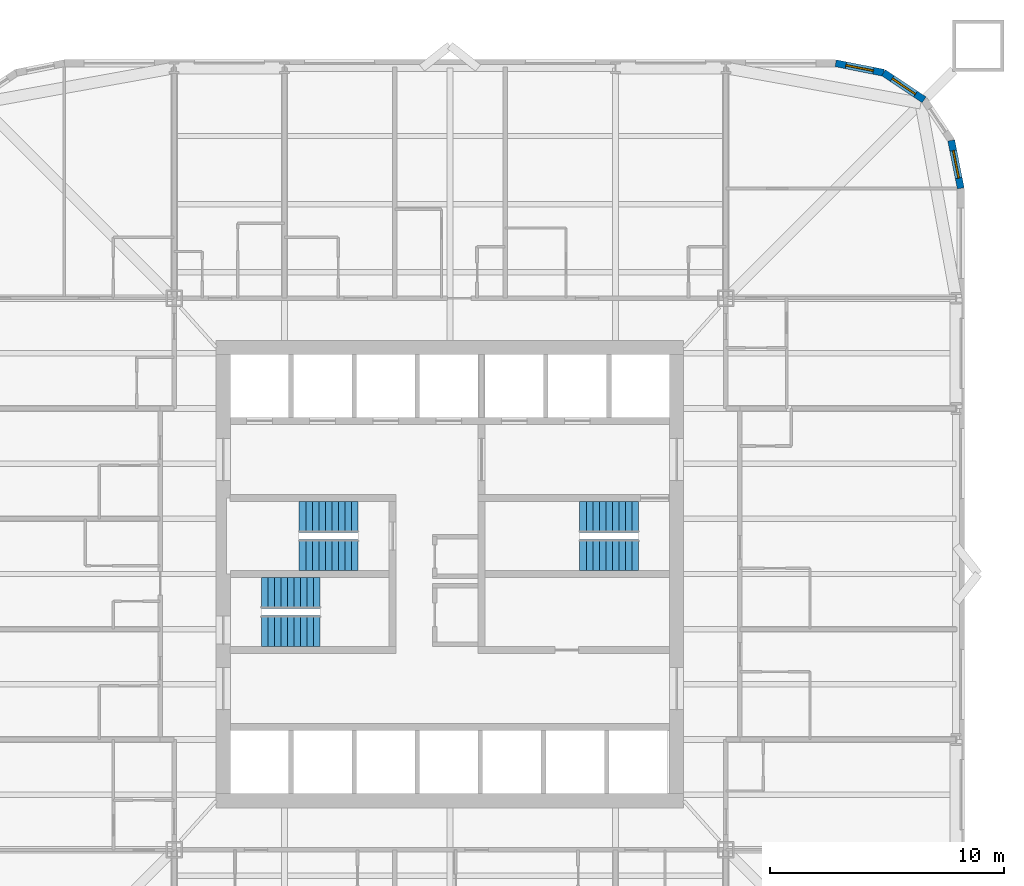
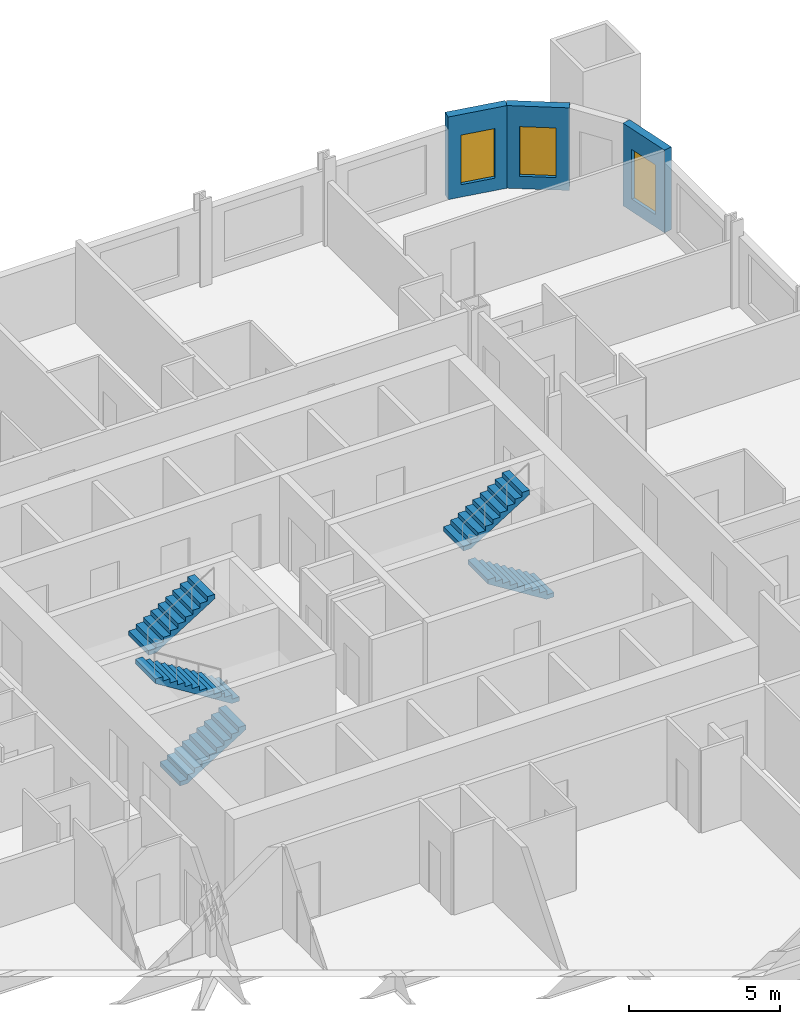
# One storey, part 8 of 9: 6 stair flights, 3 walls, 3 windows, 3 openings, 3 elements without a shape of their own.
"""IFC4 building model written with IfcOpenShell, lengths in metres."""

from ifc_helpers import new_model, si_unit, direction, frame, frame_2d, origin, place, context, subcontext, project, spatial, polyline, rectangle, outline, extrude, material, layer, layer_set, type_object, element, fill, aggregate, save


model = new_model("IFC4")

# Units and contexts
model_context = context("Model", 3, precision=1e-05, world=origin(), true_north=direction((0.0, 1.0)))
body_context = subcontext(model_context, "Body", "Model", "MODEL_VIEW")
ifc_project = project(units=[si_unit("LENGTHUNIT", "METRE"), si_unit("AREAUNIT", "SQUARE_METRE"), si_unit("VOLUMEUNIT", "CUBIC_METRE"), si_unit("PLANEANGLEUNIT", "RADIAN"), si_unit("MASSUNIT", "GRAM", prefix="KILO")], contexts=[model_context])

# Site, building, storey
site_placement = place(None, origin())
site = spatial("IfcSite", under=ifc_project, at=site_placement, CompositionType="ELEMENT")
building_placement = place(site_placement, origin())
building = spatial("IfcBuilding", under=site, at=building_placement, Name="Turquesa Mirador Hotel Tower", CompositionType="ELEMENT")
storey_placement = place(building_placement, frame((0.0, 0.0, 56.5)))
storey = spatial("IfcBuildingStorey", under=building, at=storey_placement, Name="L14", CompositionType="ELEMENT", Elevation=56.5)

# Wall, opening, window
ifc_material_1 = material(Name="Limestone cladding on concrete block", Category="masonry")
ifc_layer = layer(ifc_material_1, 0.300048828125)
ifc_layer_set = layer_set([ifc_layer], Name="FACADE WALL 300 STONE SCREEN")
wall_type = type_object("IfcWallType", Name="FACADE WALL 300 STONE SCREEN", PredefinedType="SOLIDWALL", material=ifc_layer_set)
wall_1_placement = place(storey_placement, frame((76.85009765625, 61.5, 0.0), z_axis=(0.0, 0.0, 1.0), x_axis=(-0.195081421501, 0.980787050784, 0.0)))
wall_1 = element("IfcWall", 1, at=wall_1_placement, inside=storey, type_object=wall_type, Name="Facade wall L14 05", PredefinedType="SOLIDWALL", context=body_context, shape_type="SweptSolid", body=[
    extrude(rectangle(XDim=2.08740234375, YDim=0.300048828125, at=frame_2d((1.043701171875, 0.0))), origin(), (0.0, 0.0, 1.0), 3.330078125),
])
opening_1_placement = place(wall_1_placement, frame((0.443603515625, 0.0, 0.5)))
opening_1 = element("IfcOpeningElement", 2, at=opening_1_placement, cuts=wall_1, Name="Opening WN4", PredefinedType="OPENING", context=body_context, shape_type="SweptSolid", body=[
    extrude(rectangle(XDim=1.199951171875, YDim=2.0, at=frame_2d((0.60009765625, 1.0))), frame((0.0, 0.159912109375, 0.0), z_axis=(0.0, -1.0, 0.0), x_axis=(1.0, 0.0, 0.0)), (0.0, 0.0, 1.0), 0.320068359375),
])
ifc_material_2 = material(Name="Ceramic-fritted laminated glass", Category="glass")
window_type = type_object("IfcWindowType", Name="FRITTED CORNER WINDOW 1200X2000", PartitioningType="DOUBLE_PANEL_HORIZONTAL", PredefinedType="WINDOW", material=ifc_material_2)
window_1_placement = place(opening_1_placement, origin())
window_1 = element("IfcWindow", 3, at=window_1_placement, inside=storey, type_object=window_type, Name="Window L14", OverallHeight=2.0, OverallWidth=1.199951171875, PartitioningType="SINGLE_PANEL", PredefinedType="WINDOW", context=body_context, shape_type="SweptSolid", body=[
    extrude(rectangle(XDim=1.199951171875, YDim=2.0, at=frame_2d((0.60009765625, 1.0))), frame((0.0, 0.030029296875, 0.0), z_axis=(0.0, -1.0, 0.0), x_axis=(1.0, 0.0, 0.0)), (0.0, 0.0, 1.0), 0.06005859375),
])
fill(opening_1, window_1)

wall_2_placement = place(storey_placement, frame((75.282958984375, 65.282958984375, 0.0), z_axis=(0.0, 0.0, 1.0), x_axis=(-0.831420010345, 0.555644460423, 0.0)))
wall_2 = element("IfcWall", 4, at=wall_2_placement, inside=storey, type_object=wall_type, Name="Facade wall L14 07", PredefinedType="SOLIDWALL", context=body_context, shape_type="SweptSolid", body=[
    extrude(rectangle(XDim=2.08740234375, YDim=0.300048828125, at=frame_2d((1.043701171875, 0.0))), origin(), (0.0, 0.0, 1.0), 3.330078125),
])
opening_2_placement = place(wall_2_placement, frame((0.443603515625, 0.0, 0.5)))
opening_2 = element("IfcOpeningElement", 5, at=opening_2_placement, cuts=wall_2, Name="Opening WN4", PredefinedType="OPENING", context=body_context, shape_type="SweptSolid", body=[
    extrude(rectangle(XDim=1.199951171875, YDim=2.0, at=frame_2d((0.60009765625, 1.0))), frame((0.0, 0.159912109375, 0.0), z_axis=(0.0, -1.0, 0.0), x_axis=(1.0, 0.0, 0.0)), (0.0, 0.0, 1.0), 0.320068359375),
])
window_2_placement = place(opening_2_placement, origin())
window_2 = element("IfcWindow", 6, at=window_2_placement, inside=storey, type_object=window_type, Name="Window L14", OverallHeight=2.0, OverallWidth=1.199951171875, PartitioningType="SINGLE_PANEL", PredefinedType="WINDOW", context=body_context, shape_type="SweptSolid", body=[
    extrude(rectangle(XDim=1.199951171875, YDim=2.0, at=frame_2d((0.60009765625, 1.0))), frame((0.0, 0.030029296875, 0.0), z_axis=(0.0, -1.0, 0.0), x_axis=(1.0, 0.0, 0.0)), (0.0, 0.0, 1.0), 0.06005859375),
])
fill(opening_2, window_2)

wall_3_placement = place(storey_placement, frame((73.54736328125, 66.44287109375, 0.0), z_axis=(0.0, 0.0, 1.0), x_axis=(-0.980787050784, 0.195081421501, 0.0)))
wall_3 = element("IfcWall", 7, at=wall_3_placement, inside=storey, type_object=wall_type, Name="Facade wall L14 08", PredefinedType="SOLIDWALL", context=body_context, shape_type="SweptSolid", body=[
    extrude(rectangle(XDim=2.08740234375, YDim=0.300048828125, at=frame_2d((1.043701171875, 0.0))), origin(), (0.0, 0.0, 1.0), 3.330078125),
])
opening_3_placement = place(wall_3_placement, frame((0.443603515625, 0.0, 0.5)))
opening_3 = element("IfcOpeningElement", 8, at=opening_3_placement, cuts=wall_3, Name="Opening WN4", PredefinedType="OPENING", context=body_context, shape_type="SweptSolid", body=[
    extrude(rectangle(XDim=1.199951171875, YDim=2.0, at=frame_2d((0.60009765625, 1.0))), frame((0.0, 0.159912109375, 0.0), z_axis=(0.0, -1.0, 0.0), x_axis=(1.0, 0.0, 0.0)), (0.0, 0.0, 1.0), 0.320068359375),
])
window_3_placement = place(opening_3_placement, origin())
window_3 = element("IfcWindow", 9, at=window_3_placement, inside=storey, type_object=window_type, Name="Window L14", OverallHeight=2.0, OverallWidth=1.199951171875, PartitioningType="SINGLE_PANEL", PredefinedType="WINDOW", context=body_context, shape_type="SweptSolid", body=[
    extrude(rectangle(XDim=1.199951171875, YDim=2.0, at=frame_2d((0.60009765625, 1.0))), frame((0.0, 0.030029296875, 0.0), z_axis=(0.0, -1.0, 0.0), x_axis=(1.0, 0.0, 0.0)), (0.0, 0.0, 1.0), 0.06005859375),
])
fill(opening_3, window_3)

# Stair, stair flights
ifc_material_3 = material(Name="Concrete C35/45", Category="concrete")
stair_type = type_object("IfcStairType", Name="ESCAPE STAIR CORE", PredefinedType="HALF_TURN_STAIR", material=ifc_material_3)
stair_1_placement = place(storey_placement, origin())
stair_1 = element("IfcStair", 10, at=stair_1_placement, inside=storey, type_object=stair_type, Name="Stair ST1 L14 to L15", PredefinedType="HALF_TURN_STAIR")
ifc_material_4 = material(Name="Concrete C35/45 precast flight", Category="concrete")
stair_flight_type = type_object("IfcStairFlightType", Name="STAIR FLIGHT 1330", PredefinedType="STRAIGHT", material=ifc_material_4)
stair_flight_1_placement = place(storey_placement, frame((51.070068359375, 45.81494140625, 0.0), z_axis=(0.0, 0.0, 1.0), x_axis=(-1.0, 0.0, 0.0)))
stair_flight_1 = element("IfcStairFlight", 11, at=stair_flight_1_placement, type_object=stair_flight_type, Name="ST1 flight 1", NumberOfRisers=10, NumberOfTreads=9, PredefinedType="STRAIGHT", RiserHeight=0.175, TreadLength=0.28, context=body_context, shape_type="SweptSolid", body=[
    extrude(outline(polyline([(0.0, 0.0), (0.0, 0.175048828125), (0.280029296875, 0.175048828125), (0.280029296875, 0.35009765625), (0.56005859375, 0.35009765625), (0.56005859375, 0.52490234375), (0.840087890625, 0.52490234375), (0.840087890625, 0.699951171875), (1.1201171875, 0.699951171875), (1.1201171875, 0.875), (1.39990234375, 0.875), (1.39990234375, 1.050048828125), (1.679931640625, 1.050048828125), (1.679931640625, 1.22509765625), (1.9599609375, 1.22509765625), (1.9599609375, 1.39990234375), (2.239990234375, 1.39990234375), (2.239990234375, 1.574951171875), (2.52001953125, 1.574951171875), (2.52001953125, 1.75), (2.52001953125, 1.398193359375), (0.28271484375, 0.0), (0.0, 0.0)])), frame((0.0, 0.6650390625, 0.0), z_axis=(0.0, -1.0, 0.0), x_axis=(1.0, 0.0, 0.0)), (0.0, 0.0, 1.0), 1.330078125),
])
stair_flight_2_placement = place(storey_placement, frame((48.550048828125, 47.43505859375, 1.75), z_axis=(0.0, 0.0, 1.0), x_axis=(1.0, 0.0, 0.0)))
stair_flight_2 = element("IfcStairFlight", 12, at=stair_flight_2_placement, type_object=stair_flight_type, Name="ST1 flight 2", NumberOfRisers=10, NumberOfTreads=9, PredefinedType="STRAIGHT", RiserHeight=0.175, TreadLength=0.28, context=body_context, shape_type="SweptSolid", body=[
    extrude(outline(polyline([(0.0, 0.0), (0.0, 0.175048828125), (0.280029296875, 0.175048828125), (0.280029296875, 0.35009765625), (0.56005859375, 0.35009765625), (0.56005859375, 0.52490234375), (0.840087890625, 0.52490234375), (0.840087890625, 0.699951171875), (1.1201171875, 0.699951171875), (1.1201171875, 0.875), (1.39990234375, 0.875), (1.39990234375, 1.050048828125), (1.679931640625, 1.050048828125), (1.679931640625, 1.22509765625), (1.9599609375, 1.22509765625), (1.9599609375, 1.39990234375), (2.239990234375, 1.39990234375), (2.239990234375, 1.574951171875), (2.52001953125, 1.574951171875), (2.52001953125, 1.75), (2.52001953125, 1.398193359375), (0.28271484375, 0.0), (0.0, 0.0)])), frame((0.0, 0.6650390625, 0.0), z_axis=(0.0, -1.0, 0.0), x_axis=(1.0, 0.0, 0.0)), (0.0, 0.0, 1.0), 1.330078125),
])
aggregate(stair_1, [stair_flight_1, stair_flight_2])

stair_2_placement = place(storey_placement, origin())
stair_2 = element("IfcStair", 13, at=stair_2_placement, inside=storey, type_object=stair_type, Name="Stair ST2 L14 to L15", PredefinedType="HALF_TURN_STAIR")
stair_flight_3_placement = place(storey_placement, frame((46.929931640625, 42.56494140625, 0.0), z_axis=(0.0, 0.0, 1.0), x_axis=(1.0, 0.0, 0.0)))
stair_flight_3 = element("IfcStairFlight", 14, at=stair_flight_3_placement, type_object=stair_flight_type, Name="ST2 flight 1", NumberOfRisers=10, NumberOfTreads=9, PredefinedType="STRAIGHT", RiserHeight=0.175, TreadLength=0.28, context=body_context, shape_type="SweptSolid", body=[
    extrude(outline(polyline([(0.0, 0.0), (0.0, 0.175048828125), (0.280029296875, 0.175048828125), (0.280029296875, 0.35009765625), (0.56005859375, 0.35009765625), (0.56005859375, 0.52490234375), (0.840087890625, 0.52490234375), (0.840087890625, 0.699951171875), (1.1201171875, 0.699951171875), (1.1201171875, 0.875), (1.39990234375, 0.875), (1.39990234375, 1.050048828125), (1.679931640625, 1.050048828125), (1.679931640625, 1.22509765625), (1.9599609375, 1.22509765625), (1.9599609375, 1.39990234375), (2.239990234375, 1.39990234375), (2.239990234375, 1.574951171875), (2.52001953125, 1.574951171875), (2.52001953125, 1.75), (2.52001953125, 1.398193359375), (0.28271484375, 0.0), (0.0, 0.0)])), frame((0.0, 0.6650390625, 0.0), z_axis=(0.0, -1.0, 0.0), x_axis=(1.0, 0.0, 0.0)), (0.0, 0.0, 1.0), 1.330078125),
])
stair_flight_4_placement = place(storey_placement, frame((49.449951171875, 44.18505859375, 1.75), z_axis=(0.0, 0.0, 1.0), x_axis=(-1.0, 0.0, 0.0)))
stair_flight_4 = element("IfcStairFlight", 15, at=stair_flight_4_placement, type_object=stair_flight_type, Name="ST2 flight 2", NumberOfRisers=10, NumberOfTreads=9, PredefinedType="STRAIGHT", RiserHeight=0.175, TreadLength=0.28, context=body_context, shape_type="SweptSolid", body=[
    extrude(outline(polyline([(0.0, 0.0), (0.0, 0.175048828125), (0.280029296875, 0.175048828125), (0.280029296875, 0.35009765625), (0.56005859375, 0.35009765625), (0.56005859375, 0.52490234375), (0.840087890625, 0.52490234375), (0.840087890625, 0.699951171875), (1.1201171875, 0.699951171875), (1.1201171875, 0.875), (1.39990234375, 0.875), (1.39990234375, 1.050048828125), (1.679931640625, 1.050048828125), (1.679931640625, 1.22509765625), (1.9599609375, 1.22509765625), (1.9599609375, 1.39990234375), (2.239990234375, 1.39990234375), (2.239990234375, 1.574951171875), (2.52001953125, 1.574951171875), (2.52001953125, 1.75), (2.52001953125, 1.398193359375), (0.28271484375, 0.0), (0.0, 0.0)])), frame((0.0, 0.6650390625, 0.0), z_axis=(0.0, -1.0, 0.0), x_axis=(1.0, 0.0, 0.0)), (0.0, 0.0, 1.0), 1.330078125),
])
aggregate(stair_2, [stair_flight_3, stair_flight_4])

stair_3_placement = place(storey_placement, origin())
stair_3 = element("IfcStair", 16, at=stair_3_placement, inside=storey, type_object=stair_type, Name="Stair ST3 L14 to L15", PredefinedType="HALF_TURN_STAIR")
stair_flight_5_placement = place(storey_placement, frame((63.070068359375, 45.81494140625, 0.0), z_axis=(0.0, 0.0, 1.0), x_axis=(-1.0, 0.0, 0.0)))
stair_flight_5 = element("IfcStairFlight", 17, at=stair_flight_5_placement, type_object=stair_flight_type, Name="ST3 flight 1", NumberOfRisers=10, NumberOfTreads=9, PredefinedType="STRAIGHT", RiserHeight=0.175, TreadLength=0.28, context=body_context, shape_type="SweptSolid", body=[
    extrude(outline(polyline([(0.0, 0.0), (0.0, 0.175048828125), (0.280029296875, 0.175048828125), (0.280029296875, 0.35009765625), (0.56005859375, 0.35009765625), (0.56005859375, 0.52490234375), (0.840087890625, 0.52490234375), (0.840087890625, 0.699951171875), (1.1201171875, 0.699951171875), (1.1201171875, 0.875), (1.39990234375, 0.875), (1.39990234375, 1.050048828125), (1.679931640625, 1.050048828125), (1.679931640625, 1.22509765625), (1.9599609375, 1.22509765625), (1.9599609375, 1.39990234375), (2.239990234375, 1.39990234375), (2.239990234375, 1.574951171875), (2.52001953125, 1.574951171875), (2.52001953125, 1.75), (2.52001953125, 1.398193359375), (0.28271484375, 0.0), (0.0, 0.0)])), frame((0.0, 0.6650390625, 0.0), z_axis=(0.0, -1.0, 0.0), x_axis=(1.0, 0.0, 0.0)), (0.0, 0.0, 1.0), 1.330078125),
])
stair_flight_6_placement = place(storey_placement, frame((60.550048828125, 47.43505859375, 1.75), z_axis=(0.0, 0.0, 1.0), x_axis=(1.0, 0.0, 0.0)))
stair_flight_6 = element("IfcStairFlight", 18, at=stair_flight_6_placement, type_object=stair_flight_type, Name="ST3 flight 2", NumberOfRisers=10, NumberOfTreads=9, PredefinedType="STRAIGHT", RiserHeight=0.175, TreadLength=0.28, context=body_context, shape_type="SweptSolid", body=[
    extrude(outline(polyline([(0.0, 0.0), (0.0, 0.175048828125), (0.280029296875, 0.175048828125), (0.280029296875, 0.35009765625), (0.56005859375, 0.35009765625), (0.56005859375, 0.52490234375), (0.840087890625, 0.52490234375), (0.840087890625, 0.699951171875), (1.1201171875, 0.699951171875), (1.1201171875, 0.875), (1.39990234375, 0.875), (1.39990234375, 1.050048828125), (1.679931640625, 1.050048828125), (1.679931640625, 1.22509765625), (1.9599609375, 1.22509765625), (1.9599609375, 1.39990234375), (2.239990234375, 1.39990234375), (2.239990234375, 1.574951171875), (2.52001953125, 1.574951171875), (2.52001953125, 1.75), (2.52001953125, 1.398193359375), (0.28271484375, 0.0), (0.0, 0.0)])), frame((0.0, 0.6650390625, 0.0), z_axis=(0.0, -1.0, 0.0), x_axis=(1.0, 0.0, 0.0)), (0.0, 0.0, 1.0), 1.330078125),
])
aggregate(stair_3, [stair_flight_5, stair_flight_6])

save(model, "model.ifc")
